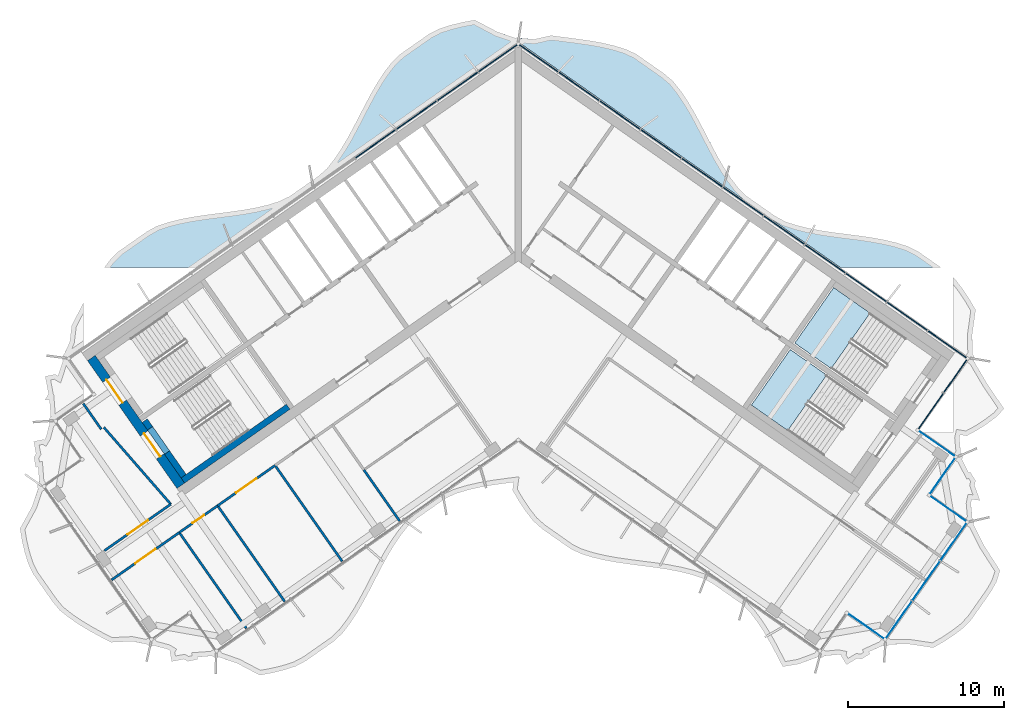
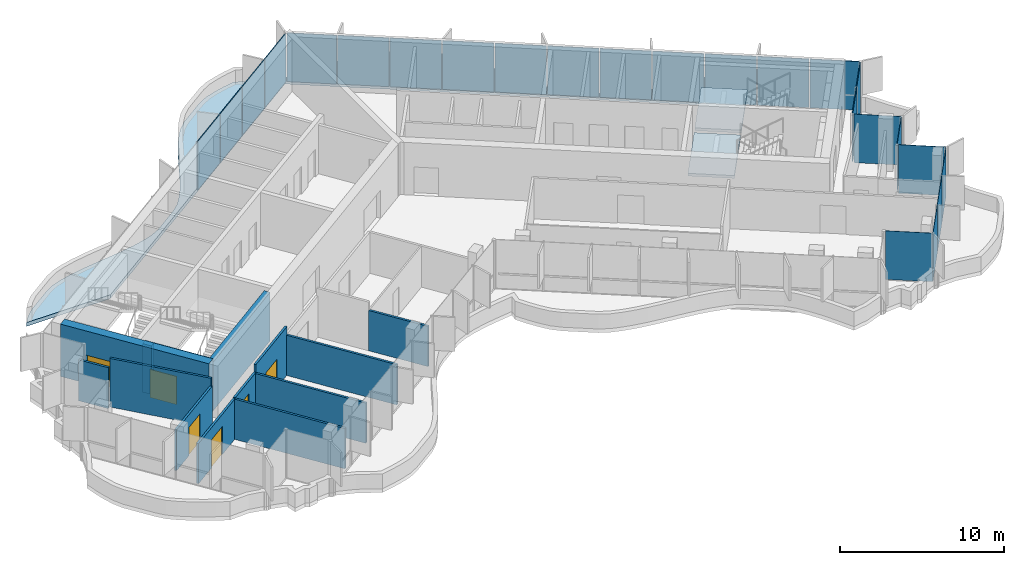
# One storey, part 8 of 18: 24 plates, 15 walls, 6 doors, 3 slabs, 6 openings, 4 elements without a shape of their own.
"""IFC4 building model written with IfcOpenShell, lengths in metres."""

from ifc_helpers import new_model, si_unit, direction, frame, frame_2d, origin, origin_2d, place, context, subcontext, project, spatial, polyline, rectangle, outline, extrude, material, layer, layer_set, type_object, element, fill, aggregate, save


model = new_model("IFC4")

# Units and contexts
model_context = context("Model", 3, precision=1e-05, world=origin(), true_north=direction((0.0, 1.0)))
body_context = subcontext(model_context, "Body", "Model", "MODEL_VIEW")
ifc_project = project(units=[si_unit("LENGTHUNIT", "METRE"), si_unit("AREAUNIT", "SQUARE_METRE"), si_unit("VOLUMEUNIT", "CUBIC_METRE"), si_unit("PLANEANGLEUNIT", "RADIAN"), si_unit("MASSUNIT", "GRAM", prefix="KILO")], contexts=[model_context])

# Site, building, storey
site_placement = place(None, origin())
site = spatial("IfcSite", under=ifc_project, at=site_placement, CompositionType="ELEMENT")
building_placement = place(site_placement, origin())
building = spatial("IfcBuilding", under=site, at=building_placement, Name="Tel Ilan Convention Tower", CompositionType="ELEMENT")
storey_placement = place(building_placement, frame((0.0, 0.0, 303.39990234375)))
storey = spatial("IfcBuildingStorey", under=building, at=storey_placement, Name="L72", CompositionType="ELEMENT", Elevation=303.39990234375)

# Curtain wall, plates
ifc_material_1 = material(Name="Aluminium, bronze anodised", Category="aluminium")
curtain_wall_type_1 = type_object("IfcCurtainWallType", Name="CW2 STICK CURTAIN WALL, SPANDREL PANELS", PredefinedType="NOTDEFINED", material=ifc_material_1)
curtain_wall_1_placement = place(storey_placement, origin())
curtain_wall_1 = element("IfcCurtainWall", 1, at=curtain_wall_1_placement, inside=storey, type_object=curtain_wall_type_1, Name="Curtain wall CW2-54.01", PredefinedType="NOTDEFINED")
ifc_material_2 = material(Name="Aluminium composite panel, bronze anodised", Category="aluminium")
ifc_layer_1 = layer(ifc_material_2, 0.06005859375)
ifc_layer_set_1 = layer_set([ifc_layer_1], Name="CW SPANDREL PANEL 60")
plate_type_1 = type_object("IfcPlateType", Name="CW SPANDREL PANEL 60", PredefinedType="CURTAIN_PANEL", material=ifc_layer_set_1)
plate_1_placement = place(storey_placement, frame((26.45947265625, -10.85400390625, 0.0), z_axis=(0.0, 0.0, 1.0), x_axis=(0.573576436351, 0.819152044289, 0.0)))
plate_1 = element("IfcPlate", 2, at=plate_1_placement, type_object=plate_type_1, Name="Spandrel panel", PredefinedType="CURTAIN_PANEL", context=body_context, shape_type="SweptSolid", body=[
    extrude(rectangle(XDim=2.76904296875, YDim=0.06005859375, at=origin_2d()), origin(), (0.0, 0.0, 1.0), 3.6201171875),
])
plate_2_placement = place(storey_placement, frame((28.042236328125, -8.593505859375, 0.0), z_axis=(0.0, 0.0, 1.0), x_axis=(0.573576436351, 0.819152044289, 0.0)))
plate_2 = element("IfcPlate", 3, at=plate_2_placement, type_object=plate_type_1, Name="Spandrel panel", PredefinedType="CURTAIN_PANEL", context=body_context, shape_type="SweptSolid", body=[
    extrude(rectangle(XDim=2.6298828125, YDim=0.06005859375, at=origin_2d()), origin(), (0.0, 0.0, 1.0), 3.6201171875),
])
plate_3_placement = place(storey_placement, frame((27.5400390625, -6.587646484375, 0.0), z_axis=(0.0, 0.0, 1.0), x_axis=(-0.819152044289, 0.573576436351, 0.0)))
plate_3 = element("IfcPlate", 4, at=plate_3_placement, type_object=plate_type_1, Name="Spandrel panel", PredefinedType="CURTAIN_PANEL", context=body_context, shape_type="SweptSolid", body=[
    extrude(rectangle(XDim=3.0439453125, YDim=0.06005859375, at=origin_2d()), origin(), (0.0, 0.0, 1.0), 3.6201171875),
])
plate_4_placement = place(storey_placement, frame((24.95263671875, -4.77587890625, 0.0), z_axis=(0.0, 0.0, 1.0), x_axis=(-0.819152044289, 0.573576436351, 0.0)))
plate_4 = element("IfcPlate", 5, at=plate_4_placement, type_object=plate_type_1, Name="Spandrel panel", PredefinedType="CURTAIN_PANEL", context=body_context, shape_type="SweptSolid", body=[
    extrude(rectangle(XDim=3.15380859375, YDim=0.06005859375, at=origin_2d()), origin(), (0.0, 0.0, 1.0), 3.6201171875),
])
plate_5_placement = place(storey_placement, frame((22.31982421875, -2.9326171875, 0.0), z_axis=(0.0, 0.0, 1.0), x_axis=(-0.819152044289, 0.573576436351, 0.0)))
plate_5 = element("IfcPlate", 6, at=plate_5_placement, type_object=plate_type_1, Name="Spandrel panel", PredefinedType="CURTAIN_PANEL", context=body_context, shape_type="SweptSolid", body=[
    extrude(rectangle(XDim=3.15380859375, YDim=0.06005859375, at=origin_2d()), origin(), (0.0, 0.0, 1.0), 3.6201171875),
])
plate_6_placement = place(storey_placement, frame((19.687255859375, -1.089111328125, 0.0), z_axis=(0.0, 0.0, 1.0), x_axis=(-0.819152044289, 0.573576436351, 0.0)))
plate_6 = element("IfcPlate", 7, at=plate_6_placement, type_object=plate_type_1, Name="Spandrel panel", PredefinedType="CURTAIN_PANEL", context=body_context, shape_type="SweptSolid", body=[
    extrude(rectangle(XDim=3.15380859375, YDim=0.06005859375, at=origin_2d()), origin(), (0.0, 0.0, 1.0), 3.6201171875),
])
plate_7_placement = place(storey_placement, frame((17.0546875, 0.754150390625, 0.0), z_axis=(0.0, 0.0, 1.0), x_axis=(-0.819152044289, 0.573576436351, 0.0)))
plate_7 = element("IfcPlate", 8, at=plate_7_placement, type_object=plate_type_1, Name="Spandrel panel", PredefinedType="CURTAIN_PANEL", context=body_context, shape_type="SweptSolid", body=[
    extrude(rectangle(XDim=3.15380859375, YDim=0.06005859375, at=origin_2d()), origin(), (0.0, 0.0, 1.0), 3.6201171875),
])
plate_8_placement = place(storey_placement, frame((14.422119140625, 2.59765625, 0.0), z_axis=(0.0, 0.0, 1.0), x_axis=(-0.819152044289, 0.573576436351, 0.0)))
plate_8 = element("IfcPlate", 9, at=plate_8_placement, type_object=plate_type_1, Name="Spandrel panel", PredefinedType="CURTAIN_PANEL", context=body_context, shape_type="SweptSolid", body=[
    extrude(rectangle(XDim=3.15380859375, YDim=0.06005859375, at=origin_2d()), origin(), (0.0, 0.0, 1.0), 3.6201171875),
])
plate_9_placement = place(storey_placement, frame((11.789306640625, 4.44091796875, 0.0), z_axis=(0.0, 0.0, 1.0), x_axis=(-0.819152044289, 0.573576436351, 0.0)))
plate_9 = element("IfcPlate", 10, at=plate_9_placement, type_object=plate_type_1, Name="Spandrel panel", PredefinedType="CURTAIN_PANEL", context=body_context, shape_type="SweptSolid", body=[
    extrude(rectangle(XDim=3.15380859375, YDim=0.06005859375, at=origin_2d()), origin(), (0.0, 0.0, 1.0), 3.6201171875),
])
plate_10_placement = place(storey_placement, frame((9.15673828125, 6.284423828125, 0.0), z_axis=(0.0, 0.0, 1.0), x_axis=(-0.819152044289, 0.573576436351, 0.0)))
plate_10 = element("IfcPlate", 11, at=plate_10_placement, type_object=plate_type_1, Name="Spandrel panel", PredefinedType="CURTAIN_PANEL", context=body_context, shape_type="SweptSolid", body=[
    extrude(rectangle(XDim=3.15380859375, YDim=0.06005859375, at=origin_2d()), origin(), (0.0, 0.0, 1.0), 3.6201171875),
])
plate_11_placement = place(storey_placement, frame((6.524169921875, 8.127685546875, 0.0), z_axis=(0.0, 0.0, 1.0), x_axis=(-0.819152044289, 0.573576436351, 0.0)))
plate_11 = element("IfcPlate", 12, at=plate_11_placement, type_object=plate_type_1, Name="Spandrel panel", PredefinedType="CURTAIN_PANEL", context=body_context, shape_type="SweptSolid", body=[
    extrude(rectangle(XDim=3.15380859375, YDim=0.06005859375, at=origin_2d()), origin(), (0.0, 0.0, 1.0), 3.6201171875),
])
plate_12_placement = place(storey_placement, frame((3.8916015625, 9.97119140625, 0.0), z_axis=(0.0, 0.0, 1.0), x_axis=(-0.819152044289, 0.573576436351, 0.0)))
plate_12 = element("IfcPlate", 13, at=plate_12_placement, type_object=plate_type_1, Name="Spandrel panel", PredefinedType="CURTAIN_PANEL", context=body_context, shape_type="SweptSolid", body=[
    extrude(rectangle(XDim=3.15380859375, YDim=0.06005859375, at=origin_2d()), origin(), (0.0, 0.0, 1.0), 3.6201171875),
])
plate_13_placement = place(storey_placement, frame((1.303955078125, 11.782958984375, 0.0), z_axis=(0.0, 0.0, 1.0), x_axis=(-0.819152044289, 0.573576436351, 0.0)))
plate_13 = element("IfcPlate", 14, at=plate_13_placement, type_object=plate_type_1, Name="Spandrel panel", PredefinedType="CURTAIN_PANEL", context=body_context, shape_type="SweptSolid", body=[
    extrude(rectangle(XDim=3.0439453125, YDim=0.06005859375, at=origin_2d()), origin(), (0.0, 0.0, 1.0), 3.6201171875),
])
plate_14_placement = place(storey_placement, frame((-1.303955078125, 11.782958984375, 0.0), z_axis=(0.0, 0.0, 1.0), x_axis=(-0.819152044289, -0.573576436351, 0.0)))
plate_14 = element("IfcPlate", 15, at=plate_14_placement, type_object=plate_type_1, Name="Spandrel panel", PredefinedType="CURTAIN_PANEL", context=body_context, shape_type="SweptSolid", body=[
    extrude(rectangle(XDim=3.0439453125, YDim=0.06005859375, at=origin_2d()), origin(), (0.0, 0.0, 1.0), 3.6201171875),
])
plate_15_placement = place(storey_placement, frame((-3.8916015625, 9.97119140625, 0.0), z_axis=(0.0, 0.0, 1.0), x_axis=(-0.819152044289, -0.573576436351, 0.0)))
plate_15 = element("IfcPlate", 16, at=plate_15_placement, type_object=plate_type_1, Name="Spandrel panel", PredefinedType="CURTAIN_PANEL", context=body_context, shape_type="SweptSolid", body=[
    extrude(rectangle(XDim=3.15380859375, YDim=0.06005859375, at=origin_2d()), origin(), (0.0, 0.0, 1.0), 3.6201171875),
])
plate_16_placement = place(storey_placement, frame((-6.524169921875, 8.127685546875, 0.0), z_axis=(0.0, 0.0, 1.0), x_axis=(-0.819152044289, -0.573576436351, 0.0)))
plate_16 = element("IfcPlate", 17, at=plate_16_placement, type_object=plate_type_1, Name="Spandrel panel", PredefinedType="CURTAIN_PANEL", context=body_context, shape_type="SweptSolid", body=[
    extrude(rectangle(XDim=3.15380859375, YDim=0.06005859375, at=origin_2d()), origin(), (0.0, 0.0, 1.0), 3.6201171875),
])
plate_17_placement = place(storey_placement, frame((-9.15673828125, 6.284423828125, 0.0), z_axis=(0.0, 0.0, 1.0), x_axis=(-0.819152044289, -0.573576436351, 0.0)))
plate_17 = element("IfcPlate", 18, at=plate_17_placement, type_object=plate_type_1, Name="Spandrel panel", PredefinedType="CURTAIN_PANEL", context=body_context, shape_type="SweptSolid", body=[
    extrude(rectangle(XDim=3.15380859375, YDim=0.06005859375, at=origin_2d()), origin(), (0.0, 0.0, 1.0), 3.6201171875),
])
aggregate(curtain_wall_1, [plate_1, plate_2, plate_3, plate_4, plate_5, plate_6, plate_7, plate_8, plate_9, plate_10, plate_11, plate_12, plate_13, plate_14, plate_15, plate_16, plate_17])

ifc_material_3 = material(Name="Aluminium, bronze anodised", Category="aluminium")
curtain_wall_type_2 = type_object("IfcCurtainWallType", Name="CW5 STICK CURTAIN WALL, UPPER OFFICE LOW-IRON TINTED GLASS", PredefinedType="NOTDEFINED", material=ifc_material_3)
curtain_wall_2_placement = place(storey_placement, origin())
curtain_wall_2 = element("IfcCurtainWall", 19, at=curtain_wall_2_placement, inside=storey, type_object=curtain_wall_type_2, Name="Curtain wall CW5-54.02", PredefinedType="NOTDEFINED")
ifc_material_4 = material(Name="Glass, low-iron bronze tinted, two-ply", Category="glass")
ifc_layer_2 = layer(ifc_material_4, 0.031982421875)
ifc_layer_set_2 = layer_set([ifc_layer_2], Name="CW UPPER GLASS PANEL 32")
plate_type_2 = type_object("IfcPlateType", Name="CW UPPER GLASS PANEL 32", PredefinedType="CURTAIN_PANEL", material=ifc_layer_set_2)
plate_18_placement = place(storey_placement, frame((22.32763671875, -24.667724609375, 0.0), z_axis=(0.0, 0.0, 1.0), x_axis=(0.819152044289, -0.573576436351, 0.0)))
plate_18 = element("IfcPlate", 20, at=plate_18_placement, type_object=plate_type_2, Name="Glass panel", PredefinedType="CURTAIN_PANEL", context=body_context, shape_type="SweptSolid", body=[
    extrude(rectangle(XDim=2.875, YDim=0.028076171875, at=origin_2d()), origin(), (0.0, 0.0, 1.0), 3.6201171875),
])
plate_19_placement = place(storey_placement, frame((24.39306640625, -24.26611328125, 0.0), z_axis=(0.0, 0.0, 1.0), x_axis=(0.573576436351, 0.819152044289, 0.0)))
plate_19 = element("IfcPlate", 21, at=plate_19_placement, type_object=plate_type_2, Name="Glass panel", PredefinedType="CURTAIN_PANEL", context=body_context, shape_type="SweptSolid", body=[
    extrude(rectangle(XDim=2.979248046875, YDim=0.028076171875, at=origin_2d()), origin(), (0.0, 0.0, 1.0), 3.6201171875),
])
plate_20_placement = place(storey_placement, frame((26.163330078125, -21.73779296875, 0.0), z_axis=(0.0, 0.0, 1.0), x_axis=(0.573576436351, 0.819152044289, 0.0)))
plate_20 = element("IfcPlate", 22, at=plate_20_placement, type_object=plate_type_2, Name="Glass panel", PredefinedType="CURTAIN_PANEL", context=body_context, shape_type="SweptSolid", body=[
    extrude(rectangle(XDim=3.0732421875, YDim=0.028076171875, at=origin_2d()), origin(), (0.0, 0.0, 1.0), 3.6201171875),
])
plate_21_placement = place(storey_placement, frame((27.93359375, -19.209716796875, 0.0), z_axis=(0.0, 0.0, 1.0), x_axis=(0.573576436351, 0.819152044289, 0.0)))
plate_21 = element("IfcPlate", 23, at=plate_21_placement, type_object=plate_type_2, Name="Glass panel", PredefinedType="CURTAIN_PANEL", context=body_context, shape_type="SweptSolid", body=[
    extrude(rectangle(XDim=2.979248046875, YDim=0.028076171875, at=origin_2d()), origin(), (0.0, 0.0, 1.0), 3.6201171875),
])
plate_22_placement = place(storey_placement, frame((27.6044921875, -17.131591796875, 0.0), z_axis=(0.0, 0.0, 1.0), x_axis=(-0.819152044289, 0.573576436351, 0.0)))
plate_22 = element("IfcPlate", 24, at=plate_22_placement, type_object=plate_type_2, Name="Glass panel", PredefinedType="CURTAIN_PANEL", context=body_context, shape_type="SweptSolid", body=[
    extrude(rectangle(XDim=2.875, YDim=0.028076171875, at=origin_2d()), origin(), (0.0, 0.0, 1.0), 3.6201171875),
])
plate_23_placement = place(storey_placement, frame((27.2265625, -14.98876953125, 0.0), z_axis=(0.0, 0.0, 1.0), x_axis=(0.573576436351, 0.819152044289, 0.0)))
plate_23 = element("IfcPlate", 25, at=plate_23_placement, type_object=plate_type_2, Name="Glass panel", PredefinedType="CURTAIN_PANEL", context=body_context, shape_type="SweptSolid", body=[
    extrude(rectangle(XDim=2.875, YDim=0.028076171875, at=origin_2d()), origin(), (0.0, 0.0, 1.0), 3.6201171875),
])
plate_24_placement = place(storey_placement, frame((26.86767578125, -12.953369140625, 0.0), z_axis=(0.0, 0.0, 1.0), x_axis=(-0.819152044289, 0.573576436351, 0.0)))
plate_24 = element("IfcPlate", 26, at=plate_24_placement, type_object=plate_type_2, Name="Glass panel", PredefinedType="CURTAIN_PANEL", context=body_context, shape_type="SweptSolid", body=[
    extrude(rectangle(XDim=2.875, YDim=0.028076171875, at=origin_2d()), origin(), (0.0, 0.0, 1.0), 3.6201171875),
])
aggregate(curtain_wall_2, [plate_18, plate_19, plate_20, plate_21, plate_22, plate_23, plate_24])

# Stair, slab
ifc_material_5 = material(Name="Concrete C40/50", Category="concrete")
stair_type = type_object("IfcStairType", Name="Pressurised Exit Stair 22 risers 177 mm", PredefinedType="HALF_TURN_STAIR", material=ifc_material_5)
stair_1_placement = place(storey_placement, origin())
stair_1 = element("IfcStair", 27, at=stair_1_placement, inside=storey, type_object=stair_type, Name="L72 Pressurised Stair S3", PredefinedType="HALF_TURN_STAIR")
ifc_material_6 = material(Name="Concrete C40/50", Category="concrete")
ifc_layer_3 = layer(ifc_material_6, 0.199951171875)
ifc_layer_set_3 = layer_set([ifc_layer_3], Name="Concrete Stair Landing 200 mm C40/50")
slab_type_1 = type_object("IfcSlabType", Name="Concrete Stair Landing 200 mm", PredefinedType="LANDING", material=ifc_layer_set_3)
slab_1_placement = place(storey_placement, frame((0.0, 0.0, 1.75)))
slab_1 = element("IfcSlab", 28, at=slab_1_placement, type_object=slab_type_1, Name="S3 landing 1", PredefinedType="LANDING", context=body_context, shape_type="SweptSolid", body=[
    extrude(outline(polyline([(22.561767578125, -4.566650390625), (20.226318359375, -2.931640625), (17.7314453125, -6.494873046875), (20.066650390625, -8.130126953125), (22.561767578125, -4.566650390625)])), origin(), (0.0, 0.0, 1.0), 0.2001953125),
])
aggregate(stair_1, [slab_1])

stair_2_placement = place(storey_placement, origin())
stair_2 = element("IfcStair", 29, at=stair_2_placement, inside=storey, type_object=stair_type, Name="L72 Pressurised Stair S4", PredefinedType="HALF_TURN_STAIR")
slab_2_placement = place(storey_placement, frame((0.0, 0.0, 1.75)))
slab_2 = element("IfcSlab", 30, at=slab_2_placement, type_object=slab_type_1, Name="S4 landing 1", PredefinedType="LANDING", context=body_context, shape_type="SweptSolid", body=[
    extrude(outline(polyline([(19.77978515625, -8.53955078125), (17.444580078125, -6.904541015625), (14.949462890625, -10.4677734375), (17.28466796875, -12.10302734375), (19.77978515625, -8.53955078125)])), origin(), (0.0, 0.0, 1.0), 0.2001953125),
])
aggregate(stair_2, [slab_2])

# Slab
ifc_material_7 = material(Name="Concrete C40/50", Category="concrete")
ifc_layer_4 = layer(ifc_material_7, 0.280029296875)
ifc_layer_set_4 = layer_set([ifc_layer_4], Name="Edge Ledge Slab 280 mm C40/50")
slab_type_2 = type_object("IfcSlabType", Name="Edge Ledge Slab 280 mm C40/50", PredefinedType="FLOOR", material=ifc_layer_set_4)
slab_3_placement = place(storey_placement, frame((0.0, 0.0, -0.27978515625)))
element("IfcSlab", 31, at=slab_3_placement, inside=storey, type_object=slab_type_2, Name="L72 edge ledge 2", PredefinedType="FLOOR", context=body_context, shape_type="SweptSolid", body=[
    extrude(outline(polyline([(-23.1982421875, 1.006591796875), (-22.4697265625, 1.250244140625), (-21.705322265625, 1.44287109375), (-20.91259765625, 1.594482421875), (-20.099365234375, 1.71728515625), (-19.275146484375, 1.824462890625), (-18.44970703125, 1.9296875), (-17.6328125, 2.047119140625), (-16.833984375, 2.18994140625), (-16.0615234375, 2.37109375), (-15.3232421875, 2.6005859375), (-14.651611328125, 2.92529296875), (-12.841552734375, 4.192626953125), (-12.284912109375, 4.681640625), (-11.809326171875, 5.28662109375), (-11.369140625, 5.94189453125), (-10.956787109375, 6.63720703125), (-10.564453125, 7.36083984375), (-10.182373046875, 8.09912109375), (-9.80078125, 8.83837890625), (-9.410400390625, 9.564697265625), (-9.001220703125, 10.264404296875), (-8.56494140625, 10.925537109375), (-8.094482421875, 11.53759765625), (-7.552001953125, 12.047119140625), (-5.7421875, 13.314208984375), (-5.0849609375, 13.66015625), (-4.3515625, 13.896484375), (-3.5830078125, 14.083251953125), (-2.785888671875, 14.228515625), (-1.357666015625, 13.472900390625), (-0.172119140625, 13.06396484375), (-0.168701171875, 13.05908203125), (-0.11474609375, 13.09521484375), (0.0, 13.1181640625), (0.11474609375, 13.09521484375), (0.168701171875, 13.05908203125), (0.172119140625, 13.06396484375), (1.02001953125, 12.99072265625), (2.08935546875, 13.234130859375), (2.913818359375, 13.12744140625), (3.739501953125, 13.0224609375), (4.55712890625, 12.90625), (5.357666015625, 12.765380859375), (6.132080078125, 12.587158203125), (6.872802734375, 12.361083984375), (7.552001953125, 12.047119140625), (9.36181640625, 10.77978515625), (9.925537109375, 10.300537109375), (10.403564453125, 9.69921875), (10.845947265625, 9.046875), (11.259521484375, 8.353515625), (11.653076171875, 7.631591796875), (12.035400390625, 6.893798828125), (12.416748046875, 6.154052734375), (12.806396484375, 5.426513671875), (13.214111328125, 4.724609375), (13.648193359375, 4.060791015625), (14.116455078125, 3.4453125), (14.651611328125, 2.92529296875), (16.46142578125, 1.657958984375), (17.111328125, 1.30224609375), (17.84228515625, 1.062255859375), (18.60888671875, 0.87255859375), (19.4033203125, 0.72314453125), (20.21728515625, 0.601806640625), (21.0419921875, 0.495361328125), (21.8671875, 0.3896484375), (22.68310546875, 0.27099609375), (23.480712890625, 0.1259765625), (24.2509765625, -0.057861328125), (24.987060546875, -0.290771484375), (25.6513671875, -0.626220703125), (27.087158203125, -1.631591796875), (20.63623046875, -1.631591796875), (0.0, 12.818115234375), (-20.63623046875, -1.631591796875), (-26.535888671875, -1.631591796875), (-26.1787109375, -1.156982421875), (-25.6513671875, -0.626220703125), (-23.84130859375, 0.64111328125), (-23.1982421875, 1.006591796875)])), origin(), (0.0, 0.0, 1.0), 0.27978515625),
])

# Wall, openings, doors
ifc_material_8 = material(Name="Concrete C40/50", Category="concrete")
ifc_layer_5 = layer(ifc_material_8, 0.60009765625)
ifc_layer_set_5 = layer_set([ifc_layer_5], Name="Core Shear Wall 600 mm C40/50")
wall_type_1 = type_object("IfcWallType", Name="Core Shear Wall 600 mm C40/50", PredefinedType="SHEAR", material=ifc_layer_set_5)
wall_1_placement = place(storey_placement, frame((-21.641845703125, -15.64208984375, 0.0), z_axis=(0.0, 0.0, 1.0), x_axis=(-0.573586866468, 0.819144740944, 0.0)))
wall_1 = element("IfcWall", 32, at=wall_1_placement, inside=storey, type_object=wall_type_1, Name="L72 core wall W-end", PredefinedType="SHEAR", context=body_context, shape_type="SweptSolid", body=[
    extrude(outline(polyline([(0.0, 0.300048828125), (0.0, -0.2998046875), (10.0, -0.300048828125), (10.0, 0.300048828125), (0.0, 0.300048828125)])), origin(), (0.0, 0.0, 1.0), 3.900146484375),
])
opening_1_placement = place(wall_1_placement, frame((6.5, 0.0, 0.0)))
opening_1 = element("IfcOpeningElement", 33, at=opening_1_placement, cuts=wall_1, Name="Opening SD5401", PredefinedType="OPENING", context=body_context, shape_type="SweptSolid", body=[
    extrude(rectangle(XDim=1.800048828125, YDim=2.10009765625, at=frame_2d((0.89990234375, 1.050048828125))), frame((0.0, 0.31005859375, 0.0), z_axis=(0.0, -1.0, 0.0), x_axis=(1.0, 0.0, 0.0)), (0.0, 0.0, 1.0), 0.6201171875),
])
opening_2_placement = place(wall_1_placement, frame((2.300048828125, 0.0, 0.0)))
opening_2 = element("IfcOpeningElement", 34, at=opening_2_placement, cuts=wall_1, Name="Opening SD5402", PredefinedType="OPENING", context=body_context, shape_type="SweptSolid", body=[
    extrude(rectangle(XDim=1.800048828125, YDim=2.10009765625, at=frame_2d((0.89990234375, 1.050048828125))), frame((0.0, 0.31005859375, 0.0), z_axis=(0.0, -1.0, 0.0), x_axis=(1.0, 0.0, 0.0)), (0.0, 0.0, 1.0), 0.6201171875),
])
ifc_material_9 = material(Name="Galvanised Steel Door Leaf", Category="steel")
door_type_1 = type_object("IfcDoorType", Name="Stair Fire Door 1800 x 2100 FD60S", OperationType="NOTDEFINED", PredefinedType="DOOR", material=ifc_material_9)
door_1_placement = place(opening_1_placement, origin())
door_1 = element("IfcDoor", 35, at=door_1_placement, inside=storey, type_object=door_type_1, Name="Stair S1 door", OperationType="DOUBLE_DOOR_SINGLE_SWING", OverallHeight=2.10009765625, OverallWidth=1.800048828125, PredefinedType="DOOR", context=body_context, shape_type="SweptSolid", body=[
    extrude(rectangle(XDim=1.800048828125, YDim=2.10009765625, at=frame_2d((0.89990234375, 1.050048828125))), frame((0.0, 0.02490234375, 0.0), z_axis=(0.0, -1.0, 0.0), x_axis=(1.0, 0.0, 0.0)), (0.0, 0.0, 1.0), 0.050048828125),
])
fill(opening_1, door_1)
door_2_placement = place(opening_2_placement, origin())
door_2 = element("IfcDoor", 36, at=door_2_placement, inside=storey, type_object=door_type_1, Name="Stair S2 door", OperationType="DOUBLE_DOOR_SINGLE_SWING", OverallHeight=2.10009765625, OverallWidth=1.800048828125, PredefinedType="DOOR", context=body_context, shape_type="SweptSolid", body=[
    extrude(rectangle(XDim=1.800048828125, YDim=2.10009765625, at=frame_2d((0.89990234375, 1.050048828125))), frame((0.0, 0.02490234375, 0.0), z_axis=(0.0, -1.0, 0.0), x_axis=(1.0, 0.0, 0.0)), (0.0, 0.0, 1.0), 0.050048828125),
])
fill(opening_2, door_2)

# Wall, opening, door
ifc_material_10 = material(Name="Plasterboard on Steel Studs", Category="steel")
ifc_layer_6 = layer(ifc_material_10, 0.14990234375)
ifc_layer_set_6 = layer_set([ifc_layer_6], Name="Fire-rated Partition 150 EI 60")
wall_type_2 = type_object("IfcWallType", Name="Fire-rated Partition 150 EI 60", PredefinedType="PARTITIONING", material=ifc_layer_set_6)
wall_2_placement = place(storey_placement, frame((-26.540283203125, -19.804443359375, 0.0), z_axis=(0.0, 0.0, 1.0), x_axis=(0.819163496387, 0.573560080713, 0.0)))
wall_2 = element("IfcWall", 37, at=wall_2_placement, inside=storey, type_object=wall_type_2, Name="Partition 005", PredefinedType="PARTITIONING", context=body_context, shape_type="SweptSolid", body=[
    extrude(rectangle(XDim=5.19677734375, YDim=0.14990234375, at=frame_2d((2.598388671875, 0.0))), origin(), (0.0, 0.0, 1.0), 3.050048828125),
])
opening_3_placement = place(wall_2_placement, frame((1.798583984375, 0.0, 0.0)))
opening_3 = element("IfcOpeningElement", 38, at=opening_3_placement, cuts=wall_2, Name="Opening L71-007", PredefinedType="OPENING", context=body_context, shape_type="SweptSolid", body=[
    extrude(rectangle(XDim=1.60009765625, YDim=2.10009765625, at=frame_2d((0.800048828125, 1.050048828125))), frame((0.0, 0.0849609375, 0.0), z_axis=(0.0, -1.0, 0.0), x_axis=(1.0, 0.0, 0.0)), (0.0, 0.0, 1.0), 0.169921875),
])
ifc_material_11 = material(Name="Timber Door Leaf in Steel Frame", Category="steel")
door_type_2 = type_object("IfcDoorType", Name="Tenant Suite Entrance Fire Door 1600x2100", OperationType="NOTDEFINED", PredefinedType="DOOR", material=ifc_material_11)
door_3_placement = place(opening_3_placement, origin())
door_3 = element("IfcDoor", 39, at=door_3_placement, inside=storey, type_object=door_type_2, Name="Door L71-007", OperationType="DOUBLE_DOOR_SINGLE_SWING", OverallHeight=2.10009765625, OverallWidth=1.60009765625, PredefinedType="DOOR", context=body_context, shape_type="SweptSolid", body=[
    extrude(rectangle(XDim=1.60009765625, YDim=2.10009765625, at=frame_2d((0.800048828125, 1.050048828125))), frame((0.0, 0.02490234375, 0.0), z_axis=(0.0, -1.0, 0.0), x_axis=(1.0, 0.0, 0.0)), (0.0, 0.0, 1.0), 0.050048828125),
])
fill(opening_3, door_3)

wall_3_placement = place(storey_placement, frame((-15.594482421875, -14.337646484375, 0.0), z_axis=(0.0, 0.0, 1.0), x_axis=(-0.819165703328, -0.573556928727, 0.0)))
wall_3 = element("IfcWall", 40, at=wall_3_placement, inside=storey, type_object=wall_type_2, Name="Partition 008", PredefinedType="PARTITIONING", context=body_context, shape_type="SweptSolid", body=[
    extrude(rectangle(XDim=4.50390625, YDim=0.14990234375, at=frame_2d((2.251953125, 0.0))), origin(), (0.0, 0.0, 1.0), 3.6201171875),
])
opening_4_placement = place(wall_3_placement, frame((1.451904296875, 0.0, 0.0)))
opening_4 = element("IfcOpeningElement", 41, at=opening_4_placement, cuts=wall_3, Name="Opening L71-004", PredefinedType="OPENING", context=body_context, shape_type="SweptSolid", body=[
    extrude(rectangle(XDim=1.60009765625, YDim=2.10009765625, at=frame_2d((0.800048828125, 1.050048828125))), frame((0.0, 0.0849609375, 0.0), z_axis=(0.0, -1.0, 0.0), x_axis=(1.0, 0.0, 0.0)), (0.0, 0.0, 1.0), 0.169921875),
])
door_4_placement = place(opening_4_placement, origin())
door_4 = element("IfcDoor", 42, at=door_4_placement, inside=storey, type_object=door_type_2, Name="Door L71-004", OperationType="DOUBLE_DOOR_SINGLE_SWING", OverallHeight=2.10009765625, OverallWidth=1.60009765625, PredefinedType="DOOR", context=body_context, shape_type="SweptSolid", body=[
    extrude(rectangle(XDim=1.60009765625, YDim=2.10009765625, at=frame_2d((0.800048828125, 1.050048828125))), frame((0.0, 0.02490234375, 0.0), z_axis=(0.0, -1.0, 0.0), x_axis=(1.0, 0.0, 0.0)), (0.0, 0.0, 1.0), 0.050048828125),
])
fill(opening_4, door_4)

wall_4_placement = place(storey_placement, frame((-19.28076171875, -16.918701171875, 0.0), z_axis=(0.0, 0.0, 1.0), x_axis=(-0.81916700466, -0.573555070134, 0.0)))
wall_4 = element("IfcWall", 43, at=wall_4_placement, inside=storey, type_object=wall_type_2, Name="Partition 009", PredefinedType="PARTITIONING", context=body_context, shape_type="SweptSolid", body=[
    extrude(rectangle(XDim=3.00390625, YDim=0.14990234375, at=frame_2d((1.501953125, 0.0))), origin(), (0.0, 0.0, 1.0), 3.050048828125),
])
opening_5_placement = place(wall_4_placement, frame((1.052001953125, 0.0, 0.0)))
opening_5 = element("IfcOpeningElement", 44, at=opening_5_placement, cuts=wall_4, Name="Opening L71-005", PredefinedType="OPENING", context=body_context, shape_type="SweptSolid", body=[
    extrude(rectangle(XDim=0.89990234375, YDim=2.10009765625, at=frame_2d((0.449951171875, 1.050048828125))), frame((0.0, 0.0849609375, 0.0), z_axis=(0.0, -1.0, 0.0), x_axis=(1.0, 0.0, 0.0)), (0.0, 0.0, 1.0), 0.169921875),
])
ifc_material_12 = material(Name="Timber Door Leaf in Steel Frame", Category="steel")
door_type_3 = type_object("IfcDoorType", Name="Room Fire Door 900x2100", OperationType="NOTDEFINED", PredefinedType="DOOR", material=ifc_material_12)
door_5_placement = place(opening_5_placement, origin())
door_5 = element("IfcDoor", 45, at=door_5_placement, inside=storey, type_object=door_type_3, Name="Door L71-005", OperationType="SINGLE_SWING_RIGHT", OverallHeight=2.10009765625, OverallWidth=0.89990234375, PredefinedType="DOOR", context=body_context, shape_type="SweptSolid", body=[
    extrude(rectangle(XDim=0.89990234375, YDim=2.10009765625, at=frame_2d((0.449951171875, 1.050048828125))), frame((0.0, 0.02490234375, 0.0), z_axis=(0.0, -1.0, 0.0), x_axis=(1.0, 0.0, 0.0)), (0.0, 0.0, 1.0), 0.050048828125),
])
fill(opening_5, door_5)

wall_5_placement = place(storey_placement, frame((-21.73828125, -18.639404296875, 0.0), z_axis=(0.0, 0.0, 1.0), x_axis=(-0.81915186898, -0.573576686718, 0.0)))
wall_5 = element("IfcWall", 46, at=wall_5_placement, inside=storey, type_object=wall_type_2, Name="Partition 010", PredefinedType="PARTITIONING", context=body_context, shape_type="SweptSolid", body=[
    extrude(rectangle(XDim=5.3017578125, YDim=0.14990234375, at=frame_2d((2.65087890625, 0.0))), origin(), (0.0, 0.0, 1.0), 3.0),
])
opening_6_placement = place(wall_5_placement, frame((1.85107421875, 0.0, 0.0)))
opening_6 = element("IfcOpeningElement", 47, at=opening_6_placement, cuts=wall_5, Name="Opening L71-006", PredefinedType="OPENING", context=body_context, shape_type="SweptSolid", body=[
    extrude(rectangle(XDim=1.60009765625, YDim=2.10009765625, at=frame_2d((0.800048828125, 1.050048828125))), frame((0.0, 0.0849609375, 0.0), z_axis=(0.0, -1.0, 0.0), x_axis=(1.0, 0.0, 0.0)), (0.0, 0.0, 1.0), 0.169921875),
])
door_6_placement = place(opening_6_placement, origin())
door_6 = element("IfcDoor", 48, at=door_6_placement, inside=storey, type_object=door_type_2, Name="Door L71-006", OperationType="DOUBLE_DOOR_SINGLE_SWING", OverallHeight=2.10009765625, OverallWidth=1.60009765625, PredefinedType="DOOR", context=body_context, shape_type="SweptSolid", body=[
    extrude(rectangle(XDim=1.60009765625, YDim=2.10009765625, at=frame_2d((0.800048828125, 1.050048828125))), frame((0.0, 0.02490234375, 0.0), z_axis=(0.0, -1.0, 0.0), x_axis=(1.0, 0.0, 0.0)), (0.0, 0.0, 1.0), 0.050048828125),
])
fill(opening_6, door_6)

# Walls
wall_6_placement = place(storey_placement, frame((-26.74609375, -12.013671875, 0.0), z_axis=(0.0, 0.0, 1.0), x_axis=(-0.573568836472, 0.819157365729, 0.0)))
element("IfcWall", 49, at=wall_6_placement, inside=storey, type_object=wall_type_2, Name="Partition 020", PredefinedType="PARTITIONING", context=body_context, shape_type="SweptSolid", body=[
    extrude(rectangle(XDim=2.000244140625, YDim=0.14990234375, at=frame_2d((1.0, 0.0))), origin(), (0.0, 0.0, 1.0), 3.050048828125),
])
wall_7_placement = place(storey_placement, frame((-22.28369140625, -16.826416015625, 0.0), z_axis=(0.0, 0.0, 1.0), x_axis=(-0.656758142177, 0.754101281449, 0.0)))
element("IfcWall", 50, at=wall_7_placement, inside=storey, type_object=wall_type_2, Name="Partition 021", PredefinedType="PARTITIONING", context=body_context, shape_type="SweptSolid", body=[
    extrude(rectangle(XDim=6.53857421875, YDim=0.14990234375, at=frame_2d((3.269287109375, 0.0))), origin(), (0.0, 0.0, 1.0), 3.6201171875),
])
wall_8_placement = place(storey_placement, frame((-7.608154296875, -17.9013671875, 0.0), z_axis=(0.0, 0.0, 1.0), x_axis=(-0.573560675104, 0.819163080207, 0.0)))
element("IfcWall", 51, at=wall_8_placement, inside=storey, type_object=wall_type_2, Name="Partition 023", PredefinedType="PARTITIONING", context=body_context, shape_type="SweptSolid", body=[
    extrude(rectangle(XDim=3.9990234375, YDim=0.14990234375, at=frame_2d((1.99951171875, 0.0))), origin(), (0.0, 0.0, 1.0), 3.0),
])
for number, where, z_axis, x_axis, name in (
    (52, (-11.29443359375, -20.482421875, 0.0), (0.0, 0.0, 1.0), (-0.573560650686, 0.819163097304, 0.0), "Partition 025"),
    (53, (-14.98046875, -23.0634765625, 0.0), (0.0, 0.0, 1.0), (-0.573597787563, 0.819137093595, 0.0), "Partition 026"),
    (54, (-17.43798828125, -24.7841796875, 0.0), (0.0, 0.0, 1.0), (-0.573575945067, 0.81915238829, 0.0), "Partition 027"),
):
    element("IfcWall", number, at=place(storey_placement, frame(where, z_axis=z_axis, x_axis=x_axis)), inside=storey, type_object=wall_type_2, Name=name, PredefinedType="PARTITIONING", context=body_context, shape_type="SweptSolid", body=[
        extrude(rectangle(XDim=7.5, YDim=0.14990234375, at=frame_2d((3.75, 0.0))), origin(), (0.0, 0.0, 1.0), 3.0),
    ])
ifc_material_13 = material(Name="Concrete C30/37", Category="concrete")
ifc_layer_7 = layer(ifc_material_13, 0.39990234375)
ifc_layer_set_7 = layer_set([ifc_layer_7], Name="Stair and Shaft Lining Wall 400 mm C30/37")
wall_type_3 = type_object("IfcWallType", Name="Stair and Shaft Lining Wall 400 mm C30/37", PredefinedType="SOLIDWALL", material=ifc_layer_set_7)
wall_9_placement = place(storey_placement, frame((-14.7529296875, -10.57421875, 0.0), z_axis=(0.0, 0.0, 1.0), x_axis=(-0.819158229677, -0.573567602601, 0.0)))
element("IfcWall", 55, at=wall_9_placement, inside=storey, type_object=wall_type_3, Name="L72 core wall lining-S2-t0", PredefinedType="SOLIDWALL", context=body_context, shape_type="SweptSolid", body=[
    extrude(rectangle(XDim=8.25, YDim=0.39990234375, at=frame_2d((4.125, 0.0))), origin(), (0.0, 0.0, 1.0), 3.6201171875),
])
wall_10_placement = place(storey_placement, frame((-21.4619140625, -15.027587890625, 0.0), z_axis=(0.0, 0.0, 1.0), x_axis=(-0.573559770908, 0.819163713305, 0.0)))
element("IfcWall", 56, at=wall_10_placement, inside=storey, type_object=wall_type_3, Name="L72 core wall lining-S2-u1-0", PredefinedType="SOLIDWALL", context=body_context, shape_type="SweptSolid", body=[
    extrude(rectangle(XDim=1.849853515625, YDim=0.39990234375, at=frame_2d((0.9248046875, 0.0))), origin(), (0.0, 0.0, 1.0), 3.6201171875),
])
wall_11_placement = place(storey_placement, frame((-23.61279296875, -11.955810546875, 0.0), z_axis=(0.0, 0.0, 1.0), x_axis=(-0.573435029941, 0.819251039936, 0.0)))
element("IfcWall", 57, at=wall_11_placement, inside=storey, type_object=wall_type_3, Name="L72 core wall lining-S2-u1-1", PredefinedType="SOLIDWALL", context=body_context, shape_type="SweptSolid", body=[
    extrude(rectangle(XDim=0.599853515625, YDim=0.39990234375, at=frame_2d((0.2998046875, 0.0))), origin(), (0.0, 0.0, 1.0), 3.6201171875),
])
wall_12_placement = place(storey_placement, frame((-22.52294921875, -13.51220703125, 2.150146484375), z_axis=(0.0, 0.0, 1.0), x_axis=(-0.573591692345, 0.819141361715, 0.0)))
element("IfcWall", 58, at=wall_12_placement, inside=storey, type_object=wall_type_3, Name="L72 core wall lining-S2-u1-lintel", PredefinedType="SOLIDWALL", context=body_context, shape_type="SweptSolid", body=[
    extrude(rectangle(XDim=1.900146484375, YDim=0.39990234375, at=frame_2d((0.9501953125, 0.0))), origin(), (0.0, 0.0, 1.0), 1.469970703125),
])

save(model, "model.ifc")
